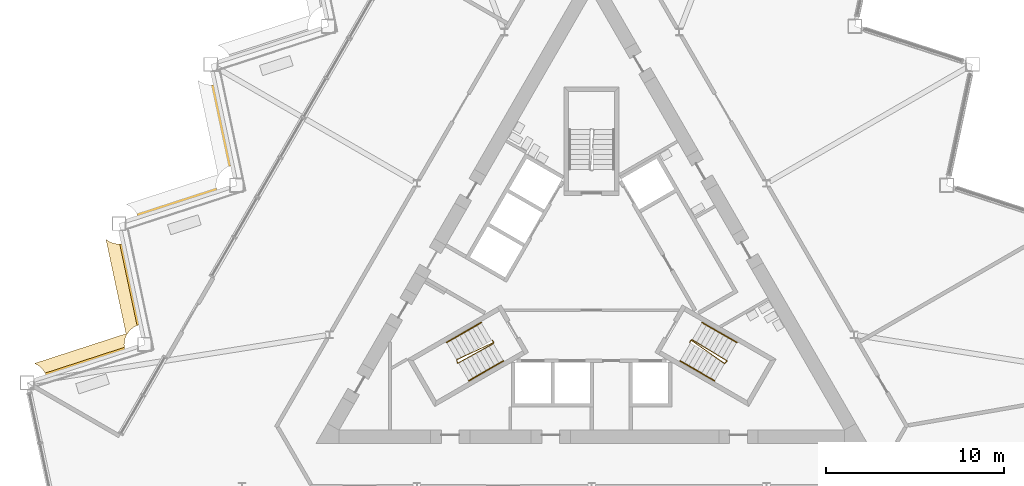
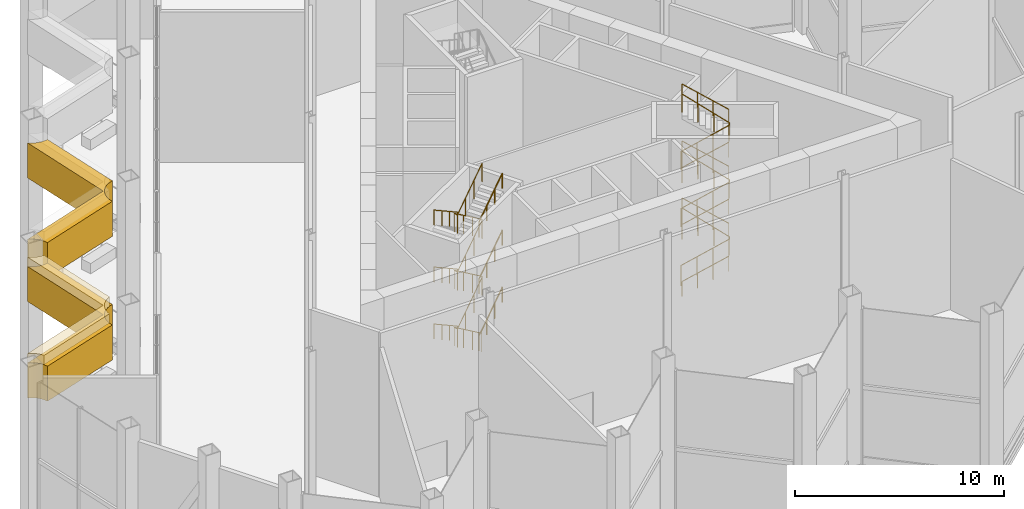
# One storey, part 15 of 18: 14 railings, 3 coverings.
"""IFC4 building model written with IfcOpenShell, lengths in metres."""

from ifc_helpers import new_model, si_unit, direction, frame, origin, origin_2d, place, context, subcontext, project, spatial, polyline, circle, outline, extrude, material, layer, layer_set, type_object, element, save


model = new_model("IFC4")

# Units and contexts
model_context = context("Model", 3, precision=1e-05, world=origin(), true_north=direction((0.0, 1.0)))
body_context = subcontext(model_context, "Body", "Model", "MODEL_VIEW")
ifc_project = project(units=[si_unit("LENGTHUNIT", "METRE"), si_unit("AREAUNIT", "SQUARE_METRE"), si_unit("VOLUMEUNIT", "CUBIC_METRE"), si_unit("PLANEANGLEUNIT", "RADIAN"), si_unit("MASSUNIT", "GRAM", prefix="KILO")], contexts=[model_context])

# Site, building, storey
site_placement = place(None, origin())
site = spatial("IfcSite", under=ifc_project, at=site_placement, CompositionType="ELEMENT")
building_placement = place(site_placement, origin())
building = spatial("IfcBuilding", under=site, at=building_placement, Name="Cormorant Prow Tower", CompositionType="ELEMENT")
storey_placement = place(building_placement, frame((0.0, 0.0, 216.0)))
storey = spatial("IfcBuildingStorey", under=building, at=storey_placement, Name="L48", CompositionType="ELEMENT", Elevation=216.0)

# Railings
ifc_material_1 = material(Name="Stainless steel", Category="steel")
railing_type_1 = type_object("IfcRailingType", Name="Stair guard 1100", PredefinedType="GUARDRAIL", material=ifc_material_1)
railing_1_placement = place(storey_placement, frame((-5.585205078125, -3.137939453125, 0.0)))
element("IfcRailing", 1, at=railing_1_placement, inside=storey, type_object=railing_type_1, Name="L48 ST1 stair guard 1", PredefinedType="GUARDRAIL", context=body_context, shape_type="SweptSolid", body=[
    extrude(circle(Radius=0.02392578125, at=origin_2d()), frame((0.0, 0.0, 1.076171875), z_axis=(0.501036270542, -0.865426285481, 0.0), x_axis=(0.865426285481, 0.501036270542, 0.0)), (0.0, 0.0, 1.0), 0.150146484375),
    extrude(circle(Radius=0.02392578125, at=origin_2d()), frame((0.0751953125, -0.1298828125, 1.076171875), z_axis=(-0.733674800789, -0.342289860769, 0.586991429156), x_axis=(0.422792438952, -0.906226546491, 0.0)), (0.0, 0.0, 1.0), 2.83935546875),
    extrude(circle(Radius=0.02392578125, at=origin_2d()), frame((-2.008056640625, -1.101806640625, 2.74267578125), z_axis=(0.275034262293, -0.961434425515, 0.0), x_axis=(0.961434425515, 0.275034262293, 0.0)), (0.0, 0.0, 1.0), 0.2060546875),
    extrude(circle(Radius=0.02392578125, at=origin_2d()), frame((-1.951416015625, -1.2998046875, 2.74267578125), z_axis=(0.708981209556, 0.388879554767, 0.588318227137), x_axis=(-0.480911908544, 0.87676891837, 0.0)), (0.0, 0.0, 1.0), 2.832763671875),
    extrude(circle(Radius=0.02392578125, at=origin_2d()), frame((0.056884765625, -0.1982421875, 4.4091796875), z_axis=(0.258736085224, 0.965948051503, 0.0), x_axis=(-0.965948051503, 0.258736085224, 0.0)), (0.0, 0.0, 1.0), 0.07080078125),
    extrude(circle(Radius=0.02392578125, at=origin_2d()), frame((0.0751953125, -0.1298828125, 4.4091796875), z_axis=(-0.733674800789, -0.342289860769, 0.586991429156), x_axis=(0.422792438952, -0.906226546491, 0.0)), (0.0, 0.0, 1.0), 2.83935546875),
    extrude(circle(Radius=0.02392578125, at=origin_2d()), frame((-2.008056640625, -1.101806640625, 6.076171875), z_axis=(0.275034262293, -0.961434425515, 0.0), x_axis=(0.961434425515, 0.275034262293, 0.0)), (0.0, 0.0, 1.0), 0.2060546875),
    extrude(circle(Radius=0.02392578125, at=origin_2d()), frame((-1.951416015625, -1.2998046875, 6.076171875), z_axis=(0.708945260141, 0.388859836343, 0.588374579502), x_axis=(-0.480911908544, 0.87676891837, 0.0)), (0.0, 0.0, 1.0), 2.832763671875),
    extrude(circle(Radius=0.02392578125, at=origin_2d()), frame((0.056884765625, -0.1982421875, 7.74267578125), z_axis=(0.258736085224, 0.965948051503, 0.0), x_axis=(-0.965948051503, 0.258736085224, 0.0)), (0.0, 0.0, 1.0), 0.07080078125),
    extrude(circle(Radius=0.02392578125, at=origin_2d()), frame((0.0751953125, -0.1298828125, 7.74267578125), z_axis=(-0.733711829474, -0.342307136193, 0.586935069494), x_axis=(0.422792438952, -0.906226546491, 0.0)), (0.0, 0.0, 1.0), 2.83935546875),
    extrude(circle(Radius=0.02392578125, at=origin_2d()), frame((-2.008056640625, -1.101806640625, 9.4091796875), z_axis=(0.275034262293, -0.961434425515, 0.0), x_axis=(0.961434425515, 0.275034262293, 0.0)), (0.0, 0.0, 1.0), 0.2060546875),
    extrude(circle(Radius=0.02392578125, at=origin_2d()), frame((-1.951416015625, -1.2998046875, 9.4091796875), z_axis=(0.708945260141, 0.388859836343, 0.588374579502), x_axis=(-0.480911908544, 0.87676891837, 0.0)), (0.0, 0.0, 1.0), 2.832763671875),
    extrude(circle(Radius=0.02099609375, at=origin_2d()), origin(), (0.0, 0.0, 1.0), 1.052001953125),
    extrude(circle(Radius=0.02099609375, at=origin_2d()), frame((0.0751953125, -0.1298828125, 0.0)), (0.0, 0.0, 1.0), 1.052001953125),
    extrude(circle(Radius=0.02099609375, at=origin_2d()), frame((-0.619140625, -0.453857421875, 0.5556640625)), (0.0, 0.0, 1.0), 1.052001953125),
    extrude(circle(Radius=0.02099609375, at=origin_2d()), frame((-1.313720703125, -0.77783203125, 1.111083984375)), (0.0, 0.0, 1.0), 1.052001953125),
    extrude(circle(Radius=0.02099609375, at=origin_2d()), frame((-2.008056640625, -1.101806640625, 1.666748046875)), (0.0, 0.0, 1.0), 1.052001953125),
    extrude(circle(Radius=0.02099609375, at=origin_2d()), frame((-1.951416015625, -1.2998046875, 1.666748046875)), (0.0, 0.0, 1.0), 1.052001953125),
    extrude(circle(Radius=0.02099609375, at=origin_2d()), frame((-1.281982421875, -0.9326171875, 2.22216796875)), (0.0, 0.0, 1.0), 1.052001953125),
    extrude(circle(Radius=0.02099609375, at=origin_2d()), frame((-0.612548828125, -0.5654296875, 2.77783203125)), (0.0, 0.0, 1.0), 1.052001953125),
    extrude(circle(Radius=0.02099609375, at=origin_2d()), frame((0.056884765625, -0.1982421875, 3.333251953125)), (0.0, 0.0, 1.0), 1.052001953125),
    extrude(circle(Radius=0.02099609375, at=origin_2d()), frame((0.0751953125, -0.1298828125, 3.333251953125)), (0.0, 0.0, 1.0), 1.052001953125),
    extrude(circle(Radius=0.02099609375, at=origin_2d()), frame((-0.619140625, -0.453857421875, 3.888916015625)), (0.0, 0.0, 1.0), 1.052001953125),
    extrude(circle(Radius=0.02099609375, at=origin_2d()), frame((-1.313720703125, -0.77783203125, 4.4443359375)), (0.0, 0.0, 1.0), 1.052001953125),
    extrude(circle(Radius=0.02099609375, at=origin_2d()), frame((-2.008056640625, -1.101806640625, 5.0)), (0.0, 0.0, 1.0), 1.052001953125),
    extrude(circle(Radius=0.02099609375, at=origin_2d()), frame((-1.951416015625, -1.2998046875, 5.0)), (0.0, 0.0, 1.0), 1.052001953125),
    extrude(circle(Radius=0.02099609375, at=origin_2d()), frame((-1.281982421875, -0.9326171875, 5.5556640625)), (0.0, 0.0, 1.0), 1.052001953125),
    extrude(circle(Radius=0.02099609375, at=origin_2d()), frame((-0.612548828125, -0.5654296875, 6.111083984375)), (0.0, 0.0, 1.0), 1.052001953125),
    extrude(circle(Radius=0.02099609375, at=origin_2d()), frame((0.056884765625, -0.1982421875, 6.666748046875)), (0.0, 0.0, 1.0), 1.052001953125),
    extrude(circle(Radius=0.02099609375, at=origin_2d()), frame((0.0751953125, -0.1298828125, 6.666748046875)), (0.0, 0.0, 1.0), 1.052001953125),
    extrude(circle(Radius=0.02099609375, at=origin_2d()), frame((-0.619140625, -0.453857421875, 7.22216796875)), (0.0, 0.0, 1.0), 1.052001953125),
    extrude(circle(Radius=0.02099609375, at=origin_2d()), frame((-1.313720703125, -0.77783203125, 7.77783203125)), (0.0, 0.0, 1.0), 1.052001953125),
    extrude(circle(Radius=0.02099609375, at=origin_2d()), frame((-2.008056640625, -1.101806640625, 8.333251953125)), (0.0, 0.0, 1.0), 1.052001953125),
    extrude(circle(Radius=0.02099609375, at=origin_2d()), frame((-1.951416015625, -1.2998046875, 8.333251953125)), (0.0, 0.0, 1.0), 1.052001953125),
    extrude(circle(Radius=0.02099609375, at=origin_2d()), frame((-1.281982421875, -0.9326171875, 8.888916015625)), (0.0, 0.0, 1.0), 1.052001953125),
    extrude(circle(Radius=0.02099609375, at=origin_2d()), frame((-0.612548828125, -0.5654296875, 9.4443359375)), (0.0, 0.0, 1.0), 1.052001953125),
    extrude(circle(Radius=0.02099609375, at=origin_2d()), frame((0.056884765625, -0.1982421875, 10.0)), (0.0, 0.0, 1.0), 1.052001953125),
])
railing_2_placement = place(storey_placement, frame((5.510009765625, -3.267822265625, 0.0)))
element("IfcRailing", 2, at=railing_2_placement, inside=storey, type_object=railing_type_1, Name="L48 ST2 stair guard 1", PredefinedType="GUARDRAIL", context=body_context, shape_type="SweptSolid", body=[
    extrude(circle(Radius=0.02392578125, at=origin_2d()), frame((0.0, 0.0, 1.076171875), z_axis=(0.501036270542, 0.865426285481, 0.0), x_axis=(-0.865426285481, 0.501036270542, 0.0)), (0.0, 0.0, 1.0), 0.150146484375),
    extrude(circle(Radius=0.02392578125, at=origin_2d()), frame((0.0751953125, 0.1298828125, 1.076171875), z_axis=(0.663221673184, -0.464246572478, 0.587036738341), x_axis=(0.573455215813, 0.819236910458, 0.0)), (0.0, 0.0, 1.0), 2.83935546875),
    extrude(circle(Radius=0.02392578125, at=origin_2d()), frame((1.958251953125, -1.188232421875, 2.74267578125), z_axis=(0.695164929852, 0.718850276695, 0.0), x_axis=(-0.718850276695, 0.695164929852, 0.0)), (0.0, 0.0, 1.0), 0.2060546875),
    extrude(circle(Radius=0.02392578125, at=origin_2d()), frame((2.1015625, -1.0400390625, 2.74267578125), z_axis=(-0.691315500176, 0.419477937833, 0.588320608927), x_axis=(-0.518752825935, -0.854924268918, 0.0)), (0.0, 0.0, 1.0), 2.832763671875),
    extrude(circle(Radius=0.02392578125, at=origin_2d()), frame((0.143310546875, 0.148193359375, 4.4091796875), z_axis=(-0.965715946433, -0.259601060869, 0.0), x_axis=(0.259601060869, -0.965715946433, 0.0)), (0.0, 0.0, 1.0), 0.070556640625),
    extrude(circle(Radius=0.02392578125, at=origin_2d()), frame((0.0751953125, 0.1298828125, 4.4091796875), z_axis=(0.663221673184, -0.464246572478, 0.587036738341), x_axis=(0.573455215813, 0.819236910458, 0.0)), (0.0, 0.0, 1.0), 2.83935546875),
    extrude(circle(Radius=0.02392578125, at=origin_2d()), frame((1.958251953125, -1.188232421875, 6.076171875), z_axis=(0.695164929852, 0.718850276695, 0.0), x_axis=(-0.718850276695, 0.695164929852, 0.0)), (0.0, 0.0, 1.0), 0.2060546875),
    extrude(circle(Radius=0.02392578125, at=origin_2d()), frame((2.1015625, -1.0400390625, 6.076171875), z_axis=(-0.69128044623, 0.419456667722, 0.588376961278), x_axis=(-0.518752825935, -0.854924268918, 0.0)), (0.0, 0.0, 1.0), 2.832763671875),
    extrude(circle(Radius=0.02392578125, at=origin_2d()), frame((0.143310546875, 0.148193359375, 7.74267578125), z_axis=(-0.965715946433, -0.259601060869, 0.0), x_axis=(0.259601060869, -0.965715946433, 0.0)), (0.0, 0.0, 1.0), 0.070556640625),
    extrude(circle(Radius=0.02392578125, at=origin_2d()), frame((0.0751953125, 0.1298828125, 7.74267578125), z_axis=(0.663255151256, -0.464270006694, 0.586980378902), x_axis=(0.573455215813, 0.819236910458, 0.0)), (0.0, 0.0, 1.0), 2.839111328125),
    extrude(circle(Radius=0.02392578125, at=origin_2d()), frame((1.958251953125, -1.188232421875, 9.4091796875), z_axis=(0.695164929852, 0.718850276695, 0.0), x_axis=(-0.718850276695, 0.695164929852, 0.0)), (0.0, 0.0, 1.0), 0.2060546875),
    extrude(circle(Radius=0.02392578125, at=origin_2d()), frame((2.1015625, -1.0400390625, 9.4091796875), z_axis=(-0.69128044623, 0.419456667722, 0.588376961278), x_axis=(-0.518752825935, -0.854924268918, 0.0)), (0.0, 0.0, 1.0), 2.832763671875),
    extrude(circle(Radius=0.02099609375, at=origin_2d()), origin(), (0.0, 0.0, 1.0), 1.052001953125),
    extrude(circle(Radius=0.02099609375, at=origin_2d()), frame((0.0751953125, 0.1298828125, 0.0)), (0.0, 0.0, 1.0), 1.052001953125),
    extrude(circle(Radius=0.02099609375, at=origin_2d()), frame((0.702880859375, -0.3095703125, 0.5556640625)), (0.0, 0.0, 1.0), 1.052001953125),
    extrude(circle(Radius=0.02099609375, at=origin_2d()), frame((1.33056640625, -0.748779296875, 1.111083984375)), (0.0, 0.0, 1.0), 1.052001953125),
    extrude(circle(Radius=0.02099609375, at=origin_2d()), frame((1.958251953125, -1.188232421875, 1.666748046875)), (0.0, 0.0, 1.0), 1.052001953125),
    extrude(circle(Radius=0.02099609375, at=origin_2d()), frame((2.1015625, -1.0400390625, 1.666748046875)), (0.0, 0.0, 1.0), 1.052001953125),
    extrude(circle(Radius=0.02099609375, at=origin_2d()), frame((1.44873046875, -0.64404296875, 2.22216796875)), (0.0, 0.0, 1.0), 1.052001953125),
    extrude(circle(Radius=0.02099609375, at=origin_2d()), frame((0.796142578125, -0.247802734375, 2.77783203125)), (0.0, 0.0, 1.0), 1.052001953125),
    extrude(circle(Radius=0.02099609375, at=origin_2d()), frame((0.143310546875, 0.148193359375, 3.333251953125)), (0.0, 0.0, 1.0), 1.052001953125),
    extrude(circle(Radius=0.02099609375, at=origin_2d()), frame((0.0751953125, 0.1298828125, 3.333251953125)), (0.0, 0.0, 1.0), 1.052001953125),
    extrude(circle(Radius=0.02099609375, at=origin_2d()), frame((0.702880859375, -0.3095703125, 3.888916015625)), (0.0, 0.0, 1.0), 1.052001953125),
    extrude(circle(Radius=0.02099609375, at=origin_2d()), frame((1.33056640625, -0.748779296875, 4.4443359375)), (0.0, 0.0, 1.0), 1.052001953125),
    extrude(circle(Radius=0.02099609375, at=origin_2d()), frame((1.958251953125, -1.188232421875, 5.0)), (0.0, 0.0, 1.0), 1.052001953125),
    extrude(circle(Radius=0.02099609375, at=origin_2d()), frame((2.1015625, -1.0400390625, 5.0)), (0.0, 0.0, 1.0), 1.052001953125),
    extrude(circle(Radius=0.02099609375, at=origin_2d()), frame((1.44873046875, -0.64404296875, 5.5556640625)), (0.0, 0.0, 1.0), 1.052001953125),
    extrude(circle(Radius=0.02099609375, at=origin_2d()), frame((0.796142578125, -0.247802734375, 6.111083984375)), (0.0, 0.0, 1.0), 1.052001953125),
    extrude(circle(Radius=0.02099609375, at=origin_2d()), frame((0.143310546875, 0.148193359375, 6.666748046875)), (0.0, 0.0, 1.0), 1.052001953125),
    extrude(circle(Radius=0.02099609375, at=origin_2d()), frame((0.0751953125, 0.1298828125, 6.666748046875)), (0.0, 0.0, 1.0), 1.052001953125),
    extrude(circle(Radius=0.02099609375, at=origin_2d()), frame((0.702880859375, -0.3095703125, 7.22216796875)), (0.0, 0.0, 1.0), 1.052001953125),
    extrude(circle(Radius=0.02099609375, at=origin_2d()), frame((1.33056640625, -0.748779296875, 7.77783203125)), (0.0, 0.0, 1.0), 1.052001953125),
    extrude(circle(Radius=0.02099609375, at=origin_2d()), frame((1.958251953125, -1.188232421875, 8.333251953125)), (0.0, 0.0, 1.0), 1.052001953125),
    extrude(circle(Radius=0.02099609375, at=origin_2d()), frame((2.1015625, -1.0400390625, 8.333251953125)), (0.0, 0.0, 1.0), 1.052001953125),
    extrude(circle(Radius=0.02099609375, at=origin_2d()), frame((1.44873046875, -0.64404296875, 8.888916015625)), (0.0, 0.0, 1.0), 1.052001953125),
    extrude(circle(Radius=0.02099609375, at=origin_2d()), frame((0.796142578125, -0.247802734375, 9.4443359375)), (0.0, 0.0, 1.0), 1.052001953125),
    extrude(circle(Radius=0.02099609375, at=origin_2d()), frame((0.143310546875, 0.148193359375, 10.0)), (0.0, 0.0, 1.0), 1.052001953125),
])
ifc_material_2 = material(Name="Stainless steel", Category="steel")
railing_type_2 = type_object("IfcRailingType", Name="Stair handrail 900", PredefinedType="HANDRAIL", material=ifc_material_2)
railing_3_placement = place(storey_placement, frame((-6.212890625, -2.150634765625, 0.185302734375)))
element("IfcRailing", 3, at=railing_3_placement, inside=storey, type_object=railing_type_2, Name="L48 ST1 stair handrail 1", PredefinedType="HANDRAIL", context=body_context, shape_type="SweptSolid", body=[
    extrude(circle(Radius=0.02392578125, at=origin_2d()), frame((0.0, 0.0, 0.8759765625), z_axis=(-0.722363311002, -0.416999812178, 0.551636115172), x_axis=(0.49994888933, -0.866054910533, 0.0)), (0.0, 0.0, 1.0), 2.685546875),
    extrude(circle(Radius=0.02099609375, at=origin_2d()), origin(), (0.0, 0.0, 1.0), 0.851806640625),
    extrude(circle(Radius=0.02099609375, at=origin_2d()), frame((-0.646728515625, -0.373291015625, 0.493896484375)), (0.0, 0.0, 1.0), 0.851806640625),
    extrude(circle(Radius=0.02099609375, at=origin_2d()), frame((-1.293212890625, -0.74658203125, 0.987548828125)), (0.0, 0.0, 1.0), 0.851806640625),
    extrude(circle(Radius=0.02099609375, at=origin_2d()), frame((-1.93994140625, -1.119873046875, 1.4814453125)), (0.0, 0.0, 1.0), 0.851806640625),
])
railing_4_placement = place(storey_placement, frame((-6.90869140625, -5.42529296875, 1.851806640625)))
element("IfcRailing", 4, at=railing_4_placement, inside=storey, type_object=railing_type_2, Name="L48 ST1 stair handrail 2", PredefinedType="HANDRAIL", context=body_context, shape_type="SweptSolid", body=[
    extrude(circle(Radius=0.02392578125, at=origin_2d()), frame((0.0, 0.0, 0.8759765625), z_axis=(0.72229244732, 0.417102296828, 0.551651424838), x_axis=(-0.500077830873, 0.865980463445, 0.0)), (0.0, 0.0, 1.0), 2.685546875),
    extrude(circle(Radius=0.02099609375, at=origin_2d()), origin(), (0.0, 0.0, 1.0), 0.851806640625),
    extrude(circle(Radius=0.02099609375, at=origin_2d()), frame((0.646484375, 0.373291015625, 0.493896484375)), (0.0, 0.0, 1.0), 0.851806640625),
    extrude(circle(Radius=0.02099609375, at=origin_2d()), frame((1.293212890625, 0.746826171875, 0.987548828125)), (0.0, 0.0, 1.0), 0.851806640625),
    extrude(circle(Radius=0.02099609375, at=origin_2d()), frame((1.939697265625, 1.1201171875, 1.4814453125)), (0.0, 0.0, 1.0), 0.851806640625),
])
railing_5_placement = place(storey_placement, frame((-6.212890625, -2.150634765625, 3.5185546875)))
element("IfcRailing", 5, at=railing_5_placement, inside=storey, type_object=railing_type_2, Name="L48 ST1 stair handrail 3", PredefinedType="HANDRAIL", context=body_context, shape_type="SweptSolid", body=[
    extrude(circle(Radius=0.02392578125, at=origin_2d()), frame((0.0, 0.0, 0.8759765625), z_axis=(-0.722363311002, -0.416999812178, 0.551636115172), x_axis=(0.49994888933, -0.866054910533, 0.0)), (0.0, 0.0, 1.0), 2.685546875),
    extrude(circle(Radius=0.02099609375, at=origin_2d()), origin(), (0.0, 0.0, 1.0), 0.851806640625),
    extrude(circle(Radius=0.02099609375, at=origin_2d()), frame((-0.646728515625, -0.373291015625, 0.493896484375)), (0.0, 0.0, 1.0), 0.851806640625),
    extrude(circle(Radius=0.02099609375, at=origin_2d()), frame((-1.293212890625, -0.74658203125, 0.987548828125)), (0.0, 0.0, 1.0), 0.851806640625),
    extrude(circle(Radius=0.02099609375, at=origin_2d()), frame((-1.93994140625, -1.119873046875, 1.4814453125)), (0.0, 0.0, 1.0), 0.851806640625),
])
railing_6_placement = place(storey_placement, frame((-6.90869140625, -5.42529296875, 5.185302734375)))
element("IfcRailing", 6, at=railing_6_placement, inside=storey, type_object=railing_type_2, Name="L48 ST1 stair handrail 4", PredefinedType="HANDRAIL", context=body_context, shape_type="SweptSolid", body=[
    extrude(circle(Radius=0.02392578125, at=origin_2d()), frame((0.0, 0.0, 0.8759765625), z_axis=(0.72229244732, 0.417102296828, 0.551651424838), x_axis=(-0.500077830873, 0.865980463445, 0.0)), (0.0, 0.0, 1.0), 2.685546875),
    extrude(circle(Radius=0.02099609375, at=origin_2d()), origin(), (0.0, 0.0, 1.0), 0.851806640625),
    extrude(circle(Radius=0.02099609375, at=origin_2d()), frame((0.646484375, 0.373291015625, 0.493896484375)), (0.0, 0.0, 1.0), 0.851806640625),
    extrude(circle(Radius=0.02099609375, at=origin_2d()), frame((1.293212890625, 0.746826171875, 0.987548828125)), (0.0, 0.0, 1.0), 0.851806640625),
    extrude(circle(Radius=0.02099609375, at=origin_2d()), frame((1.939697265625, 1.1201171875, 1.4814453125)), (0.0, 0.0, 1.0), 0.851806640625),
])
railing_7_placement = place(storey_placement, frame((-6.212890625, -2.150634765625, 6.851806640625)))
element("IfcRailing", 7, at=railing_7_placement, inside=storey, type_object=railing_type_2, Name="L48 ST1 stair handrail 5", PredefinedType="HANDRAIL", context=body_context, shape_type="SweptSolid", body=[
    extrude(circle(Radius=0.02392578125, at=origin_2d()), frame((0.0, 0.0, 0.8759765625), z_axis=(-0.722363311002, -0.416999812178, 0.551636115172), x_axis=(0.49994888933, -0.866054910533, 0.0)), (0.0, 0.0, 1.0), 2.685546875),
    extrude(circle(Radius=0.02099609375, at=origin_2d()), origin(), (0.0, 0.0, 1.0), 0.851806640625),
    extrude(circle(Radius=0.02099609375, at=origin_2d()), frame((-0.646728515625, -0.373291015625, 0.493896484375)), (0.0, 0.0, 1.0), 0.851806640625),
    extrude(circle(Radius=0.02099609375, at=origin_2d()), frame((-1.293212890625, -0.74658203125, 0.987548828125)), (0.0, 0.0, 1.0), 0.851806640625),
    extrude(circle(Radius=0.02099609375, at=origin_2d()), frame((-1.93994140625, -1.119873046875, 1.4814453125)), (0.0, 0.0, 1.0), 0.851806640625),
])
railing_8_placement = place(storey_placement, frame((-6.90869140625, -5.42529296875, 8.5185546875)))
element("IfcRailing", 8, at=railing_8_placement, inside=storey, type_object=railing_type_2, Name="L48 ST1 stair handrail 6", PredefinedType="HANDRAIL", context=body_context, shape_type="SweptSolid", body=[
    extrude(circle(Radius=0.02392578125, at=origin_2d()), frame((0.0, 0.0, 0.8759765625), z_axis=(0.72229244732, 0.417102296828, 0.551651424838), x_axis=(-0.500077830873, 0.865980463445, 0.0)), (0.0, 0.0, 1.0), 2.685546875),
    extrude(circle(Radius=0.02099609375, at=origin_2d()), origin(), (0.0, 0.0, 1.0), 0.851806640625),
    extrude(circle(Radius=0.02099609375, at=origin_2d()), frame((0.646484375, 0.373291015625, 0.493896484375)), (0.0, 0.0, 1.0), 0.851806640625),
    extrude(circle(Radius=0.02099609375, at=origin_2d()), frame((1.293212890625, 0.746826171875, 0.987548828125)), (0.0, 0.0, 1.0), 0.851806640625),
    extrude(circle(Radius=0.02099609375, at=origin_2d()), frame((1.939697265625, 1.1201171875, 1.4814453125)), (0.0, 0.0, 1.0), 0.851806640625),
])
railing_9_placement = place(storey_placement, frame((4.968994140625, -4.30517578125, 0.185302734375)))
element("IfcRailing", 9, at=railing_9_placement, inside=storey, type_object=railing_type_2, Name="L48 ST2 stair handrail 1", PredefinedType="HANDRAIL", context=body_context, shape_type="SweptSolid", body=[
    extrude(circle(Radius=0.02392578125, at=origin_2d()), frame((0.0, 0.0, 0.8759765625), z_axis=(0.72229244732, -0.417102296828, 0.551651424838), x_axis=(0.500077830873, 0.865980463445, 0.0)), (0.0, 0.0, 1.0), 2.685546875),
    extrude(circle(Radius=0.02099609375, at=origin_2d()), origin(), (0.0, 0.0, 1.0), 0.851806640625),
    extrude(circle(Radius=0.02099609375, at=origin_2d()), frame((0.646484375, -0.373291015625, 0.493896484375)), (0.0, 0.0, 1.0), 0.851806640625),
    extrude(circle(Radius=0.02099609375, at=origin_2d()), frame((1.293212890625, -0.746826171875, 0.987548828125)), (0.0, 0.0, 1.0), 0.851806640625),
    extrude(circle(Radius=0.02099609375, at=origin_2d()), frame((1.939697265625, -1.1201171875, 1.4814453125)), (0.0, 0.0, 1.0), 0.851806640625),
])
railing_10_placement = place(storey_placement, frame((8.15283203125, -3.2705078125, 1.851806640625)))
element("IfcRailing", 10, at=railing_10_placement, inside=storey, type_object=railing_type_2, Name="L48 ST2 stair handrail 2", PredefinedType="HANDRAIL", context=body_context, shape_type="SweptSolid", body=[
    extrude(circle(Radius=0.02392578125, at=origin_2d()), frame((0.0, 0.0, 0.8759765625), z_axis=(-0.722363311002, 0.416999812178, 0.551636115172), x_axis=(-0.49994888933, -0.866054910533, 0.0)), (0.0, 0.0, 1.0), 2.685546875),
    extrude(circle(Radius=0.02099609375, at=origin_2d()), origin(), (0.0, 0.0, 1.0), 0.851806640625),
    extrude(circle(Radius=0.02099609375, at=origin_2d()), frame((-0.646728515625, 0.373291015625, 0.493896484375)), (0.0, 0.0, 1.0), 0.851806640625),
    extrude(circle(Radius=0.02099609375, at=origin_2d()), frame((-1.293212890625, 0.74658203125, 0.987548828125)), (0.0, 0.0, 1.0), 0.851806640625),
    extrude(circle(Radius=0.02099609375, at=origin_2d()), frame((-1.93994140625, 1.119873046875, 1.4814453125)), (0.0, 0.0, 1.0), 0.851806640625),
])
railing_11_placement = place(storey_placement, frame((4.968994140625, -4.30517578125, 3.5185546875)))
element("IfcRailing", 11, at=railing_11_placement, inside=storey, type_object=railing_type_2, Name="L48 ST2 stair handrail 3", PredefinedType="HANDRAIL", context=body_context, shape_type="SweptSolid", body=[
    extrude(circle(Radius=0.02392578125, at=origin_2d()), frame((0.0, 0.0, 0.8759765625), z_axis=(0.72229244732, -0.417102296828, 0.551651424838), x_axis=(0.500077830873, 0.865980463445, 0.0)), (0.0, 0.0, 1.0), 2.685546875),
    extrude(circle(Radius=0.02099609375, at=origin_2d()), origin(), (0.0, 0.0, 1.0), 0.851806640625),
    extrude(circle(Radius=0.02099609375, at=origin_2d()), frame((0.646484375, -0.373291015625, 0.493896484375)), (0.0, 0.0, 1.0), 0.851806640625),
    extrude(circle(Radius=0.02099609375, at=origin_2d()), frame((1.293212890625, -0.746826171875, 0.987548828125)), (0.0, 0.0, 1.0), 0.851806640625),
    extrude(circle(Radius=0.02099609375, at=origin_2d()), frame((1.939697265625, -1.1201171875, 1.4814453125)), (0.0, 0.0, 1.0), 0.851806640625),
])
railing_12_placement = place(storey_placement, frame((8.15283203125, -3.2705078125, 5.185302734375)))
element("IfcRailing", 12, at=railing_12_placement, inside=storey, type_object=railing_type_2, Name="L48 ST2 stair handrail 4", PredefinedType="HANDRAIL", context=body_context, shape_type="SweptSolid", body=[
    extrude(circle(Radius=0.02392578125, at=origin_2d()), frame((0.0, 0.0, 0.8759765625), z_axis=(-0.722363311002, 0.416999812178, 0.551636115172), x_axis=(-0.49994888933, -0.866054910533, 0.0)), (0.0, 0.0, 1.0), 2.685546875),
    extrude(circle(Radius=0.02099609375, at=origin_2d()), origin(), (0.0, 0.0, 1.0), 0.851806640625),
    extrude(circle(Radius=0.02099609375, at=origin_2d()), frame((-0.646728515625, 0.373291015625, 0.493896484375)), (0.0, 0.0, 1.0), 0.851806640625),
    extrude(circle(Radius=0.02099609375, at=origin_2d()), frame((-1.293212890625, 0.74658203125, 0.987548828125)), (0.0, 0.0, 1.0), 0.851806640625),
    extrude(circle(Radius=0.02099609375, at=origin_2d()), frame((-1.93994140625, 1.119873046875, 1.4814453125)), (0.0, 0.0, 1.0), 0.851806640625),
])
railing_13_placement = place(storey_placement, frame((4.968994140625, -4.30517578125, 6.851806640625)))
element("IfcRailing", 13, at=railing_13_placement, inside=storey, type_object=railing_type_2, Name="L48 ST2 stair handrail 5", PredefinedType="HANDRAIL", context=body_context, shape_type="SweptSolid", body=[
    extrude(circle(Radius=0.02392578125, at=origin_2d()), frame((0.0, 0.0, 0.8759765625), z_axis=(0.72229244732, -0.417102296828, 0.551651424838), x_axis=(0.500077830873, 0.865980463445, 0.0)), (0.0, 0.0, 1.0), 2.685546875),
    extrude(circle(Radius=0.02099609375, at=origin_2d()), origin(), (0.0, 0.0, 1.0), 0.851806640625),
    extrude(circle(Radius=0.02099609375, at=origin_2d()), frame((0.646484375, -0.373291015625, 0.493896484375)), (0.0, 0.0, 1.0), 0.851806640625),
    extrude(circle(Radius=0.02099609375, at=origin_2d()), frame((1.293212890625, -0.746826171875, 0.987548828125)), (0.0, 0.0, 1.0), 0.851806640625),
    extrude(circle(Radius=0.02099609375, at=origin_2d()), frame((1.939697265625, -1.1201171875, 1.4814453125)), (0.0, 0.0, 1.0), 0.851806640625),
])
railing_14_placement = place(storey_placement, frame((8.15283203125, -3.2705078125, 8.5185546875)))
element("IfcRailing", 14, at=railing_14_placement, inside=storey, type_object=railing_type_2, Name="L48 ST2 stair handrail 6", PredefinedType="HANDRAIL", context=body_context, shape_type="SweptSolid", body=[
    extrude(circle(Radius=0.02392578125, at=origin_2d()), frame((0.0, 0.0, 0.8759765625), z_axis=(-0.722363311002, 0.416999812178, 0.551636115172), x_axis=(-0.49994888933, -0.866054910533, 0.0)), (0.0, 0.0, 1.0), 2.685546875),
    extrude(circle(Radius=0.02099609375, at=origin_2d()), origin(), (0.0, 0.0, 1.0), 0.851806640625),
    extrude(circle(Radius=0.02099609375, at=origin_2d()), frame((-0.646728515625, 0.373291015625, 0.493896484375)), (0.0, 0.0, 1.0), 0.851806640625),
    extrude(circle(Radius=0.02099609375, at=origin_2d()), frame((-1.293212890625, 0.74658203125, 0.987548828125)), (0.0, 0.0, 1.0), 0.851806640625),
    extrude(circle(Radius=0.02099609375, at=origin_2d()), frame((-1.93994140625, 1.119873046875, 1.4814453125)), (0.0, 0.0, 1.0), 0.851806640625),
])

# Coverings
ifc_material_3 = material(Name="Terracotta", Category="masonry")
ifc_layer = layer(ifc_material_3, 0.89990234375)
ifc_layer_set = layer_set([ifc_layer], Name="Terracotta")
covering_type = type_object("IfcCoveringType", Name="Terrace lintel fascia 900", PredefinedType="CLADDING", material=ifc_layer_set)
covering_1_placement = place(storey_placement, frame((0.0, 0.0, 7.050048828125)))
element("IfcCovering", 15, at=covering_1_placement, inside=storey, type_object=covering_type, Name="Terrace lintel L48 part 2", PredefinedType="CLADDING", context=body_context, shape_type="SweptSolid", body=[
    extrude(outline(polyline([(-25.368408203125, -2.258544921875), (-25.463134765625, -2.2822265625), (-25.5693359375, -2.3203125), (-25.67138671875, -2.368408203125), (-25.768310546875, -2.426513671875), (-25.85888671875, -2.49365234375), (-25.9423828125, -2.569580078125), (-26.018310546875, -2.6533203125), (-26.08544921875, -2.743896484375), (-26.1435546875, -2.840576171875), (-26.19189453125, -2.942626953125), (-26.229736328125, -3.048828125), (-26.257080078125, -3.158203125), (-26.273681640625, -3.27001953125), (-26.279296875, -3.3828125), (-26.273681640625, -3.495361328125), (-26.257080078125, -3.607177734375), (-26.229736328125, -3.716552734375), (-26.22216796875, -3.73779296875), (-30.64599609375, -5.17529296875), (-30.676513671875, -5.090087890625), (-30.724853515625, -4.98828125), (-30.78271484375, -4.891357421875), (-30.85009765625, -4.80078125), (-30.92578125, -4.717041015625), (-31.009521484375, -4.641357421875), (-31.10009765625, -4.57421875), (-31.197021484375, -4.51611328125), (-31.298828125, -4.468017578125), (-31.338134765625, -4.453857421875), (-26.177978515625, -2.777099609375), (-27.305908203125, 2.528076171875), (-27.3037109375, 2.5263671875), (-27.213134765625, 2.458984375), (-27.1162109375, 2.40087890625), (-27.014404296875, 2.352783203125), (-26.908203125, 2.314697265625), (-26.798583984375, 2.287353515625), (-26.68701171875, 2.270751953125), (-26.57421875, 2.26513671875), (-26.46142578125, 2.270751953125), (-26.349853515625, 2.287353515625), (-26.335205078125, 2.291015625), (-25.368408203125, -2.258544921875)])), origin(), (0.0, 0.0, 1.0), 2.05078125),
])
covering_2_placement = place(storey_placement, frame((0.0, 0.0, 7.050048828125)))
element("IfcCovering", 16, at=covering_2_placement, inside=storey, type_object=covering_type, Name="Terrace lintel L48 part 3", PredefinedType="CLADDING", context=body_context, shape_type="SweptSolid", body=[
    extrude(outline(polyline([(-20.20361328125, 6.68701171875), (-20.29833984375, 6.663330078125), (-20.40478515625, 6.625244140625), (-20.506591796875, 6.5771484375), (-20.603515625, 6.51904296875), (-20.694091796875, 6.451904296875), (-20.777587890625, 6.3759765625), (-20.853515625, 6.29248046875), (-20.9208984375, 6.201904296875), (-20.978759765625, 6.10498046875), (-21.027099609375, 6.0029296875), (-21.065185546875, 5.896728515625), (-21.092529296875, 5.787109375), (-21.10888671875, 5.675537109375), (-21.114501953125, 5.56298828125), (-21.10888671875, 5.4501953125), (-21.092529296875, 5.33837890625), (-21.065185546875, 5.22900390625), (-21.057373046875, 5.207763671875), (-25.4814453125, 3.770263671875), (-25.51171875, 3.855224609375), (-25.56005859375, 3.957275390625), (-25.6181640625, 4.05419921875), (-25.685302734375, 4.144775390625), (-25.760986328125, 4.228515625), (-25.8447265625, 4.30419921875), (-25.935302734375, 4.371337890625), (-26.031982421875, 4.429443359375), (-26.13427734375, 4.477783203125), (-26.173583984375, 4.49169921875), (-21.013427734375, 6.16845703125), (-22.14111328125, 11.4736328125), (-22.13916015625, 11.4716796875), (-22.04833984375, 11.404541015625), (-21.95166015625, 11.3466796875), (-21.849609375, 11.29833984375), (-21.743408203125, 11.26025390625), (-21.6337890625, 11.23291015625), (-21.522216796875, 11.21630859375), (-21.409423828125, 11.210693359375), (-21.296875, 11.21630859375), (-21.185302734375, 11.23291015625), (-21.170654296875, 11.236572265625), (-20.20361328125, 6.68701171875)])), origin(), (0.0, 0.0, 1.0), 2.05078125),
])
covering_3_placement = place(storey_placement, frame((0.0, 0.0, 9.100830078125)))
element("IfcCovering", 17, at=covering_3_placement, inside=storey, type_object=covering_type, Name="Terrace lintel L48 head part 2", PredefinedType="CLADDING", context=body_context, shape_type="SweptSolid", body=[
    extrude(outline(polyline([(-25.5693359375, -2.3203125), (-25.67138671875, -2.368408203125), (-25.768310546875, -2.426513671875), (-25.85888671875, -2.49365234375), (-25.9423828125, -2.569580078125), (-26.018310546875, -2.6533203125), (-26.08544921875, -2.743896484375), (-26.1435546875, -2.840576171875), (-26.19189453125, -2.942626953125), (-26.229736328125, -3.048828125), (-26.257080078125, -3.158203125), (-26.273681640625, -3.27001953125), (-26.279296875, -3.3828125), (-26.273681640625, -3.495361328125), (-26.266845703125, -3.5419921875), (-30.723876953125, -4.990234375), (-30.724853515625, -4.98828125), (-30.78271484375, -4.891357421875), (-30.85009765625, -4.80078125), (-30.92578125, -4.717041015625), (-31.009521484375, -4.641357421875), (-31.10009765625, -4.57421875), (-31.197021484375, -4.51611328125), (-31.298828125, -4.468017578125), (-31.338134765625, -4.453857421875), (-26.177978515625, -2.777099609375), (-27.305908203125, 2.528076171875), (-27.3037109375, 2.5263671875), (-27.213134765625, 2.458984375), (-27.1162109375, 2.40087890625), (-27.014404296875, 2.352783203125), (-26.908203125, 2.314697265625), (-26.798583984375, 2.287353515625), (-26.68701171875, 2.270751953125), (-26.57421875, 2.26513671875), (-26.53466796875, 2.26708984375), (-25.560302734375, -2.31689453125), (-25.5693359375, -2.3203125)])), origin(), (0.0, 0.0, 1.0), 0.549072265625),
])

save(model, "model.ifc")
